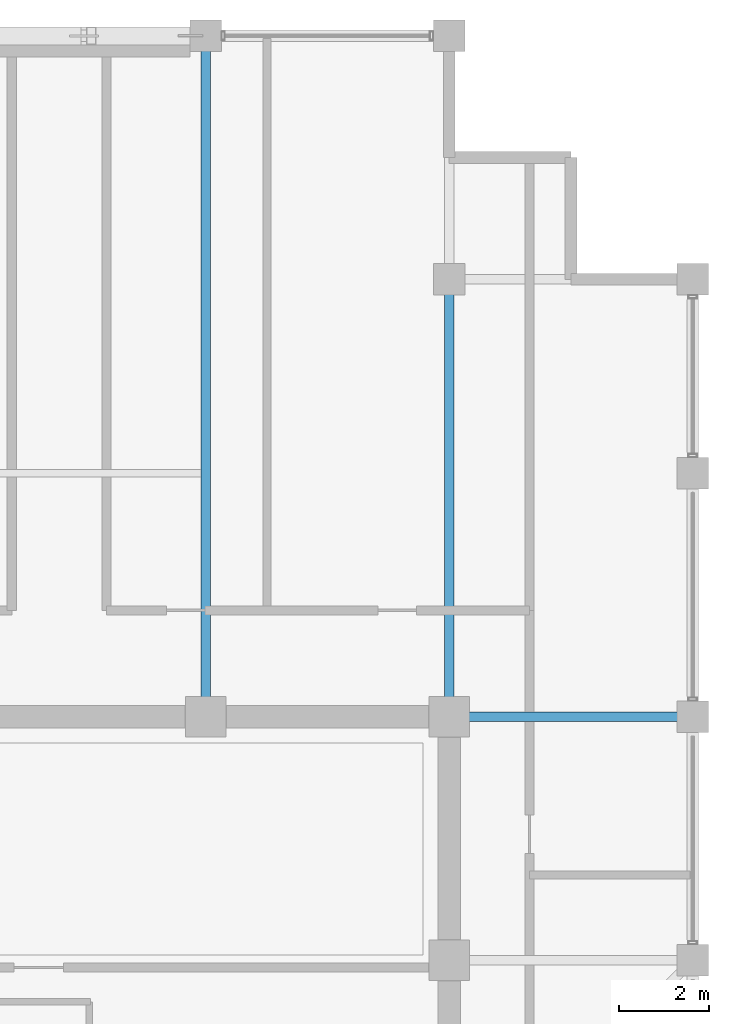
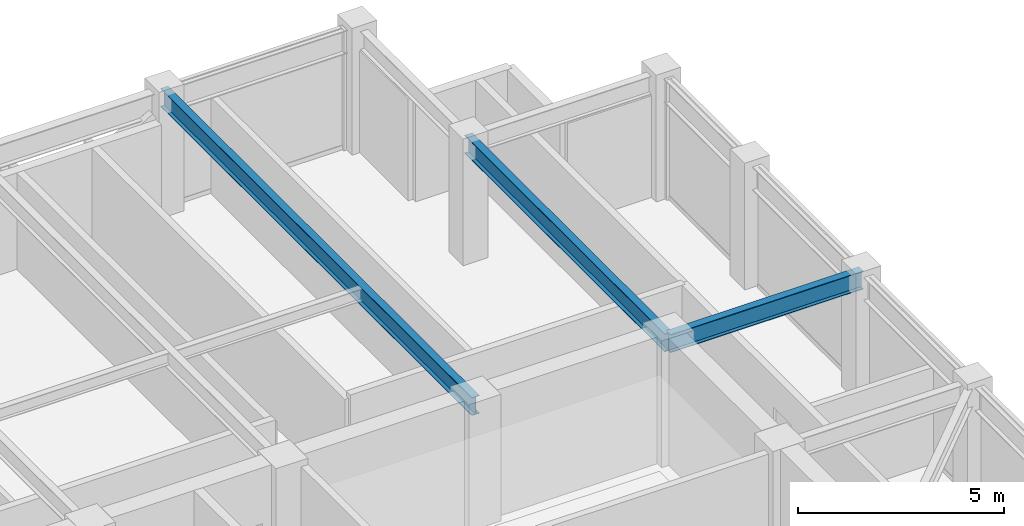
# One storey, part 20 of 30: 3 beams.
"""IFC4 building model written with IfcOpenShell, lengths in metres."""

from ifc_helpers import new_model, si_unit, direction, frame, origin, origin_2d, place, context, subcontext, project, spatial, i_section, extrude, material, material_profile, profile_set, type_object, element, save


model = new_model("IFC4")

# Units and contexts
model_context = context("Model", 3, precision=1e-05, world=origin(), true_north=direction((0.0, 1.0)))
body_context = subcontext(model_context, "Body", "Model", "MODEL_VIEW")
ifc_project = project(units=[si_unit("LENGTHUNIT", "METRE"), si_unit("AREAUNIT", "SQUARE_METRE"), si_unit("VOLUMEUNIT", "CUBIC_METRE"), si_unit("PLANEANGLEUNIT", "RADIAN"), si_unit("MASSUNIT", "GRAM", prefix="KILO")], contexts=[model_context])

# Site, building, storey
site_placement = place(None, origin())
site = spatial("IfcSite", under=ifc_project, at=site_placement, CompositionType="ELEMENT")
building_placement = place(site_placement, origin())
building = spatial("IfcBuilding", under=site, at=building_placement, Name="Surkhivell Harbour Commons", CompositionType="ELEMENT")
storey_placement = place(building_placement, frame((0.0, 0.0, 296.25)))
storey = spatial("IfcBuildingStorey", under=building, at=storey_placement, Name="L77", CompositionType="ELEMENT", Elevation=296.25)

# Beams
ifc_material = material(Name="Steel S355", Category="steel")
ifc_material_profile = material_profile(ifc_material, i_section(OverallWidth=0.2099609375, OverallDepth=0.537109375, WebThickness=0.0107421875, FlangeThickness=0.017333984375, at=origin_2d()), Name="UB533x210x101")
ifc_profile_set = profile_set([ifc_material_profile], Name="Steel S355")
beam_type = type_object("IfcBeamType", Name="BM-GRD-533B", PredefinedType="BEAM", material=ifc_profile_set)
beam_1_placement = place(storey_placement, frame((5.39990234375, 10.800048828125, 3.301513671875), z_axis=(0.0, 1.0, 0.0), x_axis=(-1.0, 0.0, 0.0)))
element("IfcBeam", 1, at=beam_1_placement, inside=storey, type_object=beam_type, Name="L77 Floor Girder (5.4,10.8)", PredefinedType="BEAM", context=body_context, shape_type="SweptSolid", body=[
    extrude(i_section(OverallWidth=0.2099609375, OverallDepth=0.537109375, WebThickness=0.0107421875, FlangeThickness=0.017333984375, at=origin_2d()), origin(), (0.0, 0.0, 1.0), 15.099853515625),
])
beam_2_placement = place(storey_placement, frame((10.800048828125, 10.800048828125, 3.301513671875), z_axis=(0.0, 1.0, 0.0), x_axis=(-1.0, 0.0, 0.0)))
element("IfcBeam", 2, at=beam_2_placement, inside=storey, type_object=beam_type, Name="L77 Floor Girder (10.8,10.8)", PredefinedType="BEAM", context=body_context, shape_type="SweptSolid", body=[
    extrude(i_section(OverallWidth=0.2099609375, OverallDepth=0.537109375, WebThickness=0.0107421875, FlangeThickness=0.017333984375, at=origin_2d()), origin(), (0.0, 0.0, 1.0), 9.699951171875),
])
beam_3_placement = place(storey_placement, frame((10.800048828125, 10.800048828125, 3.301513671875), z_axis=(1.0, 0.0, 0.0), x_axis=(0.0, 1.0, 0.0)))
element("IfcBeam", 3, at=beam_3_placement, inside=storey, type_object=beam_type, Name="L77 Floor Girder (10.8,10.8)", PredefinedType="BEAM", context=body_context, shape_type="SweptSolid", body=[
    extrude(i_section(OverallWidth=0.2099609375, OverallDepth=0.537109375, WebThickness=0.0107421875, FlangeThickness=0.017333984375, at=origin_2d()), origin(), (0.0, 0.0, 1.0), 5.39990234375),
])

save(model, "model.ifc")
